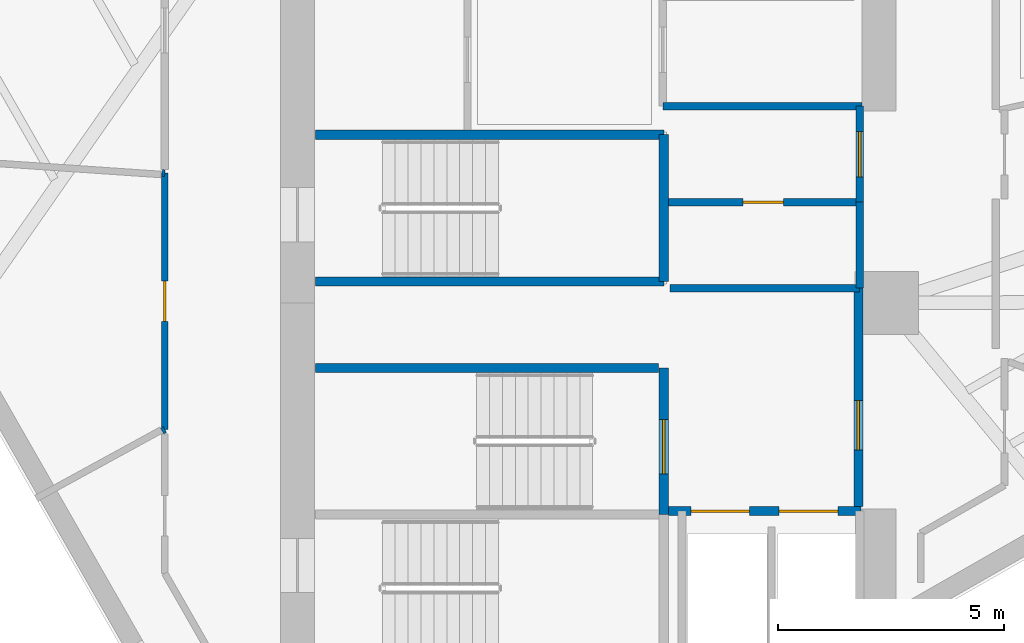
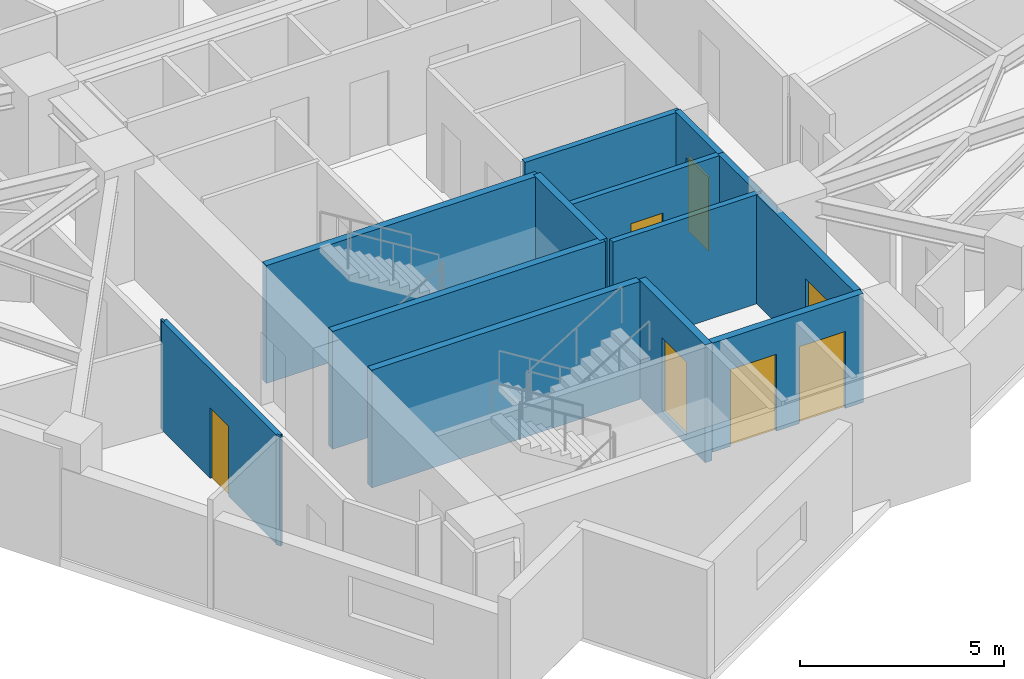
# One storey, part 9 of 13: 15 walls, 7 doors, 7 openings.
"""IFC4 building model written with IfcOpenShell, lengths in metres."""

from ifc_helpers import new_model, si_unit, direction, frame, frame_2d, origin, place, context, subcontext, project, spatial, rectangle, extrude, material, layer, layer_set, type_object, element, fill, save


model = new_model("IFC4")

# Units and contexts
model_context = context("Model", 3, precision=1e-05, world=origin(), true_north=direction((0.0, 1.0)))
body_context = subcontext(model_context, "Body", "Model", "MODEL_VIEW")
ifc_project = project(units=[si_unit("LENGTHUNIT", "METRE"), si_unit("AREAUNIT", "SQUARE_METRE"), si_unit("VOLUMEUNIT", "CUBIC_METRE"), si_unit("PLANEANGLEUNIT", "RADIAN"), si_unit("MASSUNIT", "GRAM", prefix="KILO")], contexts=[model_context])

# Site, building, storey
site_placement = place(None, origin())
site = spatial("IfcSite", under=ifc_project, at=site_placement, CompositionType="ELEMENT")
building_placement = place(site_placement, origin())
building = spatial("IfcBuilding", under=site, at=building_placement, Name="Narakoshi Arena Tower", CompositionType="ELEMENT")
storey_placement = place(building_placement, frame((0.0, 0.0, 222.02001953125)))
storey = spatial("IfcBuildingStorey", under=building, at=storey_placement, Name="L60", CompositionType="ELEMENT", Elevation=222.02001953125)

# Wall, opening, door
ifc_material_1 = material(Name="Gypsum plasterboard fire-rated partition")
ifc_layer_1 = layer(ifc_material_1, 0.1650390625)
ifc_layer_set_1 = layer_set([ifc_layer_1], Name="Gypsum plasterboard fire-rated partition")
wall_type_1 = type_object("IfcWallType", Name="WL-CORR-165", PredefinedType="PARTITIONING", material=ifc_layer_set_1)
wall_1_placement = place(storey_placement, frame((84.949951171875, 45.580078125, 0.0), z_axis=(0.0, 0.0, 1.0), x_axis=(0.0, 1.0, 0.0)))
wall_1 = element("IfcWall", 1, at=wall_1_placement, inside=storey, type_object=wall_type_1, Name="L60 Core Wall CPAS-E", PredefinedType="PARTITIONING", context=body_context, shape_type="SweptSolid", body=[
    extrude(rectangle(XDim=2.119873046875, YDim=0.1650390625, at=frame_2d((1.06005859375, 0.0))), origin(), (0.0, 0.0, 1.0), 3.260009765625),
])
opening_1_placement = place(wall_1_placement, frame((0.56005859375, 0.0, 0.0)))
opening_1 = element("IfcOpeningElement", 2, at=opening_1_placement, cuts=wall_1, Name="Opening D-06", PredefinedType="OPENING", context=body_context, shape_type="SweptSolid", body=[
    extrude(rectangle(XDim=1.0, YDim=2.199951171875, at=frame_2d((0.5, 1.10009765625))), frame((0.0, 0.092529296875, 0.0), z_axis=(0.0, -1.0, 0.0), x_axis=(1.0, 0.0, 0.0)), (0.0, 0.0, 1.0), 0.18505859375),
])
ifc_material_2 = material(Name="Stained oak solid-core timber", Category="wood")
door_type_1 = type_object("IfcDoorType", Name="DR-OFF-1000", OperationType="NOTDEFINED", PredefinedType="DOOR", material=ifc_material_2)
door_1_placement = place(opening_1_placement, frame((1.0, 0.0, 0.0), z_axis=(0.0, 0.0, 1.0), x_axis=(-1.0, 0.0, 0.0)))
door_1 = element("IfcDoor", 3, at=door_1_placement, inside=storey, type_object=door_type_1, Name="DR-L60-007", OperationType="SINGLE_SWING_LEFT", OverallHeight=2.199951171875, OverallWidth=1.0, PredefinedType="DOOR", context=body_context, shape_type="SweptSolid", body=[
    extrude(rectangle(XDim=1.0, YDim=2.199951171875, at=frame_2d((0.5, 1.10009765625))), frame((0.0, 0.02490234375, 0.0), z_axis=(0.0, -1.0, 0.0), x_axis=(1.0, 0.0, 0.0)), (0.0, 0.0, 1.0), 0.050048828125),
])
fill(opening_1, door_1)

# Wall
ifc_material_3 = material(Name="Concrete C40/50", Category="concrete")
ifc_layer_2 = layer(ifc_material_3, 0.280029296875)
ifc_layer_set_2 = layer_set([ifc_layer_2], Name="Concrete C40/50")
wall_type_2 = type_object("IfcWallType", Name="WL-RISER-280", PredefinedType="PLUMBINGWALL", material=ifc_layer_set_2)
wall_2_placement = place(storey_placement, frame((84.949951171875, 43.679931640625, 0.0), z_axis=(0.0, 0.0, 1.0), x_axis=(0.0, 1.0, 0.0)))
element("IfcWall", 4, at=wall_2_placement, inside=storey, type_object=wall_type_2, Name="L60 Core Wall RSR-E", PredefinedType="PLUMBINGWALL", context=body_context, shape_type="SweptSolid", body=[
    extrude(rectangle(XDim=1.900146484375, YDim=0.1650390625, at=frame_2d((0.9501953125, 0.0))), origin(), (0.0, 0.0, 1.0), 3.260009765625),
])

# Wall, opening, door
wall_3_placement = place(storey_placement, frame((80.719970703125, 45.580078125, 0.0), z_axis=(0.0, 0.0, 1.0), x_axis=(1.0, 0.0, 0.0)))
wall_3 = element("IfcWall", 5, at=wall_3_placement, inside=storey, type_object=wall_type_2, Name="L60 Core Wall RSR-N", PredefinedType="PLUMBINGWALL", context=body_context, shape_type="SweptSolid", body=[
    extrude(rectangle(XDim=4.22998046875, YDim=0.159912109375, at=frame_2d((2.114990234375, 0.0))), origin(), (0.0, 0.0, 1.0), 3.260009765625),
])
opening_2_placement = place(wall_3_placement, frame((1.64990234375, 0.0, 0.0)))
opening_2 = element("IfcOpeningElement", 6, at=opening_2_placement, cuts=wall_3, Name="Opening D-08", PredefinedType="OPENING", context=body_context, shape_type="SweptSolid", body=[
    extrude(rectangle(XDim=0.89990234375, YDim=2.10009765625, at=frame_2d((0.449951171875, 1.050048828125))), frame((0.0, 0.08984375, 0.0), z_axis=(0.0, -1.0, 0.0), x_axis=(1.0, 0.0, 0.0)), (0.0, 0.0, 1.0), 0.179931640625),
])
ifc_material_4 = material(Name="Moisture-resistant laminate timber", Category="wood")
door_type_2 = type_object("IfcDoorType", Name="DR-WC-900", OperationType="NOTDEFINED", PredefinedType="DOOR", material=ifc_material_4)
door_2_placement = place(opening_2_placement, frame((0.89990234375, 0.0, 0.0), z_axis=(0.0, 0.0, 1.0), x_axis=(-1.0, 0.0, 0.0)))
door_2 = element("IfcDoor", 7, at=door_2_placement, inside=storey, type_object=door_type_2, Name="DR-L60-008", OperationType="SINGLE_SWING_LEFT", OverallHeight=2.10009765625, OverallWidth=0.89990234375, PredefinedType="DOOR", context=body_context, shape_type="SweptSolid", body=[
    extrude(rectangle(XDim=0.89990234375, YDim=2.10009765625, at=frame_2d((0.449951171875, 1.050048828125))), frame((0.0, 0.02490234375, 0.0), z_axis=(0.0, -1.0, 0.0), x_axis=(1.0, 0.0, 0.0)), (0.0, 0.0, 1.0), 0.050048828125),
])
fill(opening_2, door_2)

# Wall
wall_4_placement = place(storey_placement, frame((80.760009765625, 43.679931640625, 0.0), z_axis=(0.0, 0.0, 1.0), x_axis=(1.0, 0.0, 0.0)))
element("IfcWall", 8, at=wall_4_placement, inside=storey, type_object=wall_type_2, Name="L60 Core Wall RSR-S", PredefinedType="PLUMBINGWALL", context=body_context, shape_type="SweptSolid", body=[
    extrude(rectangle(XDim=4.18994140625, YDim=0.159912109375, at=frame_2d((2.094970703125, 0.0))), origin(), (0.0, 0.0, 1.0), 3.260009765625),
])

# Wall, opening, door
ifc_material_5 = material(Name="Concrete C50/60", Category="concrete")
ifc_layer_3 = layer(ifc_material_5, 0.35009765625)
ifc_layer_set_3 = layer_set([ifc_layer_3], Name="Concrete C50/60")
wall_type_3 = type_object("IfcWallType", Name="WL-SHAFT-350", PredefinedType="SOLIDWALL", material=ifc_layer_set_3)
wall_5_placement = place(storey_placement, frame((80.6201171875, 38.675048828125, -0.260009765625), z_axis=(0.0, 0.0, 1.0), x_axis=(0.0, 1.0, 0.0)))
wall_5 = element("IfcWall", 9, at=wall_5_placement, inside=storey, type_object=wall_type_3, Name="L60 Core Wall ST2-E", PredefinedType="SOLIDWALL", context=body_context, shape_type="SweptSolid", body=[
    extrude(rectangle(XDim=3.244873046875, YDim=0.199951171875, at=frame_2d((1.62255859375, 0.0))), origin(), (0.0, 0.0, 1.0), 3.52001953125),
])
opening_3_placement = place(wall_5_placement, frame((0.89990234375, 0.0, 0.260009765625)))
opening_3 = element("IfcOpeningElement", 10, at=opening_3_placement, cuts=wall_5, Name="Opening D-03", PredefinedType="OPENING", context=body_context, shape_type="SweptSolid", body=[
    extrude(rectangle(XDim=1.199951171875, YDim=2.199951171875, at=frame_2d((0.60009765625, 1.10009765625))), frame((0.0, 0.10986328125, 0.0), z_axis=(0.0, -1.0, 0.0), x_axis=(1.0, 0.0, 0.0)), (0.0, 0.0, 1.0), 0.219970703125),
])
ifc_material_6 = material(Name="Painted galvanized steel", Category="steel")
door_type_3 = type_object("IfcDoorType", Name="DR-STR-1200", OperationType="NOTDEFINED", PredefinedType="USERDEFINED", material=ifc_material_6)
door_3_placement = place(opening_3_placement, origin())
door_3 = element("IfcDoor", 11, at=door_3_placement, inside=storey, type_object=door_type_3, Name="DR-L60-002", ObjectType="EXITDOOR", OperationType="SINGLE_SWING_RIGHT", OverallHeight=2.199951171875, OverallWidth=1.199951171875, PredefinedType="USERDEFINED", context=body_context, shape_type="SweptSolid", body=[
    extrude(rectangle(XDim=1.199951171875, YDim=2.199951171875, at=frame_2d((0.60009765625, 1.10009765625))), frame((0.0, 0.02490234375, 0.0), z_axis=(0.0, -1.0, 0.0), x_axis=(1.0, 0.0, 0.0)), (0.0, 0.0, 1.0), 0.050048828125),
])
fill(opening_3, door_3)

# Wall, openings, doors
wall_6_placement = place(storey_placement, frame((80.719970703125, 38.75, 0.0), z_axis=(0.0, 0.0, 1.0), x_axis=(1.0, 0.0, 0.0)))
wall_6 = element("IfcWall", 12, at=wall_6_placement, inside=storey, type_object=wall_type_3, Name="L60 Core Wall FF-N", PredefinedType="SOLIDWALL", context=body_context, shape_type="SweptSolid", body=[
    extrude(rectangle(XDim=4.260009765625, YDim=0.199951171875, at=frame_2d((2.1298828125, 0.0))), origin(), (0.0, 0.0, 1.0), 3.260009765625),
])
opening_4_placement = place(wall_6_placement, frame((0.5, 0.0, 0.0)))
opening_4 = element("IfcOpeningElement", 13, at=opening_4_placement, cuts=wall_6, Name="Opening LD-02", PredefinedType="OPENING", context=body_context, shape_type="SweptSolid", body=[
    extrude(rectangle(XDim=1.300048828125, YDim=2.300048828125, at=frame_2d((0.64990234375, 1.14990234375))), frame((0.0, 0.10986328125, 0.0), z_axis=(0.0, -1.0, 0.0), x_axis=(1.0, 0.0, 0.0)), (0.0, 0.0, 1.0), 0.219970703125),
])
opening_5_placement = place(wall_6_placement, frame((2.449951171875, 0.0, 0.0)))
opening_5 = element("IfcOpeningElement", 14, at=opening_5_placement, cuts=wall_6, Name="Opening LD-02", PredefinedType="OPENING", context=body_context, shape_type="SweptSolid", body=[
    extrude(rectangle(XDim=1.300048828125, YDim=2.300048828125, at=frame_2d((0.64990234375, 1.14990234375))), frame((0.0, 0.10986328125, 0.0), z_axis=(0.0, -1.0, 0.0), x_axis=(1.0, 0.0, 0.0)), (0.0, 0.0, 1.0), 0.219970703125),
])
ifc_material_7 = material(Name="Brushed bronze stainless steel", Category="steel")
door_type_4 = type_object("IfcDoorType", Name="DR-LFT-1300", OperationType="DOUBLE_DOOR_SLIDING", PredefinedType="DOOR", material=ifc_material_7)
door_4_placement = place(opening_4_placement, origin())
door_4 = element("IfcDoor", 15, at=door_4_placement, inside=storey, type_object=door_type_4, Name="DR-L60-003", OperationType="DOUBLE_DOOR_SLIDING", OverallHeight=2.300048828125, OverallWidth=1.300048828125, PredefinedType="DOOR", context=body_context, shape_type="SweptSolid", body=[
    extrude(rectangle(XDim=1.300048828125, YDim=2.300048828125, at=frame_2d((0.64990234375, 1.14990234375))), frame((0.0, 0.02490234375, 0.0), z_axis=(0.0, -1.0, 0.0), x_axis=(1.0, 0.0, 0.0)), (0.0, 0.0, 1.0), 0.050048828125),
])
fill(opening_4, door_4)
door_5_placement = place(opening_5_placement, origin())
door_5 = element("IfcDoor", 16, at=door_5_placement, inside=storey, type_object=door_type_4, Name="DR-L60-004", OperationType="DOUBLE_DOOR_SLIDING", OverallHeight=2.300048828125, OverallWidth=1.300048828125, PredefinedType="DOOR", context=body_context, shape_type="SweptSolid", body=[
    extrude(rectangle(XDim=1.300048828125, YDim=2.300048828125, at=frame_2d((0.64990234375, 1.14990234375))), frame((0.0, 0.02490234375, 0.0), z_axis=(0.0, -1.0, 0.0), x_axis=(1.0, 0.0, 0.0)), (0.0, 0.0, 1.0), 0.050048828125),
])
fill(opening_5, door_5)

# Wall, opening, door
wall_7_placement = place(storey_placement, frame((84.919921875, 38.85009765625, 0.0), z_axis=(0.0, 0.0, 1.0), x_axis=(0.0, 1.0, 0.0)))
wall_7 = element("IfcWall", 17, at=wall_7_placement, inside=storey, type_object=wall_type_3, Name="L60 Core Wall FFLOB-E", PredefinedType="SOLIDWALL", context=body_context, shape_type="SweptSolid", body=[
    extrude(rectangle(XDim=4.829833984375, YDim=0.199951171875, at=frame_2d((2.4150390625, 0.0))), origin(), (0.0, 0.0, 1.0), 3.260009765625),
])
opening_6_placement = place(wall_7_placement, frame((1.25, 0.0, 0.0)))
opening_6 = element("IfcOpeningElement", 18, at=opening_6_placement, cuts=wall_7, Name="Opening D-04", PredefinedType="OPENING", context=body_context, shape_type="SweptSolid", body=[
    extrude(rectangle(XDim=1.10009765625, YDim=2.199951171875, at=frame_2d((0.550048828125, 1.10009765625))), frame((0.0, 0.10986328125, 0.0), z_axis=(0.0, -1.0, 0.0), x_axis=(1.0, 0.0, 0.0)), (0.0, 0.0, 1.0), 0.219970703125),
])
door_type_5 = type_object("IfcDoorType", Name="DR-FFL-1100", OperationType="NOTDEFINED", PredefinedType="DOOR", material=ifc_material_6)
door_6_placement = place(opening_6_placement, frame((1.10009765625, 0.0, 0.0), z_axis=(0.0, 0.0, 1.0), x_axis=(-1.0, 0.0, 0.0)))
door_6 = element("IfcDoor", 19, at=door_6_placement, inside=storey, type_object=door_type_5, Name="DR-L60-005", OperationType="SINGLE_SWING_RIGHT", OverallHeight=2.199951171875, OverallWidth=1.10009765625, PredefinedType="DOOR", context=body_context, shape_type="SweptSolid", body=[
    extrude(rectangle(XDim=1.10009765625, YDim=2.199951171875, at=frame_2d((0.550048828125, 1.10009765625))), frame((0.0, 0.02490234375, 0.0), z_axis=(0.0, -1.0, 0.0), x_axis=(1.0, 0.0, 0.0)), (0.0, 0.0, 1.0), 0.050048828125),
])
fill(opening_6, door_6)

# Walls
wall_8_placement = place(storey_placement, frame((72.919921875, 41.919921875, -0.260009765625), z_axis=(0.0, 0.0, 1.0), x_axis=(1.0, 0.0, 0.0)))
element("IfcWall", 20, at=wall_8_placement, inside=storey, type_object=wall_type_3, Name="L60 Core Wall ST2-N", PredefinedType="SOLIDWALL", context=body_context, shape_type="SweptSolid", body=[
    extrude(rectangle(XDim=7.580078125, YDim=0.199951171875, at=frame_2d((3.7900390625, 0.0))), origin(), (0.0, 0.0, 1.0), 3.52001953125),
])
for number, where, z_axis, x_axis, name in (
    (21, (72.919921875, 43.830078125, -0.260009765625), (0.0, 0.0, 1.0), (1.0, 0.0, 0.0), "L60 Core Wall ST3-S"),
    (22, (72.919921875, 47.070068359375, -0.260009765625), (0.0, 0.0, 1.0), (1.0, 0.0, 0.0), "L60 Core Wall ST3-N"),
):
    element("IfcWall", number, at=place(storey_placement, frame(where, z_axis=z_axis, x_axis=x_axis)), inside=storey, type_object=wall_type_3, Name=name, PredefinedType="SOLIDWALL", context=body_context, shape_type="SweptSolid", body=[
        extrude(rectangle(XDim=7.7001953125, YDim=0.199951171875, at=frame_2d((3.85009765625, 0.0))), origin(), (0.0, 0.0, 1.0), 3.52001953125),
    ])
wall_9_placement = place(storey_placement, frame((80.6201171875, 43.830078125, -0.260009765625), z_axis=(0.0, 0.0, 1.0), x_axis=(0.0, 1.0, 0.0)))
element("IfcWall", 23, at=wall_9_placement, inside=storey, type_object=wall_type_3, Name="L60 Core Wall ST3-E", PredefinedType="SOLIDWALL", context=body_context, shape_type="SweptSolid", body=[
    extrude(rectangle(XDim=3.239990234375, YDim=0.199951171875, at=frame_2d((1.6201171875, 0.0))), origin(), (0.0, 0.0, 1.0), 3.52001953125),
])
wall_10_placement = place(storey_placement, frame((80.60009765625, 47.699951171875, 0.0), z_axis=(0.0, 0.0, 1.0), x_axis=(1.0, 0.0, 0.0)))
element("IfcWall", 24, at=wall_10_placement, inside=storey, type_object=wall_type_3, Name="L60 Core Wall MR-S", PredefinedType="SOLIDWALL", context=body_context, shape_type="SweptSolid", body=[
    extrude(rectangle(XDim=4.39990234375, YDim=0.159912109375, at=frame_2d((2.199951171875, 0.0))), origin(), (0.0, 0.0, 1.0), 3.260009765625),
])

# Wall, opening, door
ifc_material_8 = material(Name="Moisture-resistant cement-board partition")
ifc_layer_4 = layer(ifc_material_8, 0.14501953125)
ifc_layer_set_4 = layer_set([ifc_layer_4], Name="Moisture-resistant cement-board partition")
wall_type_4 = type_object("IfcWallType", Name="WL-WET-145", PredefinedType="PARTITIONING", material=ifc_layer_set_4)
wall_11_placement = place(storey_placement, frame((69.594482421875, 46.22216796875, 0.0), z_axis=(0.0, 0.0, 1.0), x_axis=(0.0, -1.0, 0.0)))
wall_11 = element("IfcWall", 25, at=wall_11_placement, inside=storey, type_object=wall_type_4, Name="L60 Corridor Partition 01-1", PredefinedType="PARTITIONING", context=body_context, shape_type="SweptSolid", body=[
    extrude(rectangle(XDim=5.666259765625, YDim=0.14501953125, at=frame_2d((2.8330078125, 0.0))), origin(), (0.0, 0.0, 1.0), 3.260009765625),
])
opening_7_placement = place(wall_11_placement, frame((2.383056640625, 0.0, 0.0)))
opening_7 = element("IfcOpeningElement", 26, at=opening_7_placement, cuts=wall_11, Name="Opening D-08", PredefinedType="OPENING", context=body_context, shape_type="SweptSolid", body=[
    extrude(rectangle(XDim=0.89990234375, YDim=2.10009765625, at=frame_2d((0.449951171875, 1.050048828125))), frame((0.0, 0.08251953125, 0.0), z_axis=(0.0, -1.0, 0.0), x_axis=(1.0, 0.0, 0.0)), (0.0, 0.0, 1.0), 0.1650390625),
])
door_7_placement = place(opening_7_placement, frame((0.89990234375, 0.0, 0.0), z_axis=(0.0, 0.0, 1.0), x_axis=(-1.0, 0.0, 0.0)))
door_7 = element("IfcDoor", 27, at=door_7_placement, inside=storey, type_object=door_type_2, Name="DR-L60-016", OperationType="SINGLE_SWING_RIGHT", OverallHeight=2.10009765625, OverallWidth=0.89990234375, PredefinedType="DOOR", context=body_context, shape_type="SweptSolid", body=[
    extrude(rectangle(XDim=0.89990234375, YDim=2.10009765625, at=frame_2d((0.449951171875, 1.050048828125))), frame((0.0, 0.02490234375, 0.0), z_axis=(0.0, -1.0, 0.0), x_axis=(1.0, 0.0, 0.0)), (0.0, 0.0, 1.0), 0.050048828125),
])
fill(opening_7, door_7)

# Walls
wall_12_placement = place(storey_placement, frame((69.594482421875, 40.555908203125, 0.0), z_axis=(0.0, 0.0, 1.0), x_axis=(-0.875838256619, -0.482604753647, 0.0)))
element("IfcWall", 28, at=wall_12_placement, inside=storey, type_object=wall_type_4, Name="L60 Corridor Partition 01-2", PredefinedType="PARTITIONING", context=body_context, shape_type="SweptSolid", body=[
    extrude(rectangle(XDim=0.068359375, YDim=0.14501953125, at=frame_2d((0.0341796875, 0.0))), origin(), (0.0, 0.0, 1.0), 3.260009765625),
])
wall_13_placement = place(storey_placement, frame((69.53466796875, 46.226318359375, 0.0), z_axis=(0.0, 0.0, 1.0), x_axis=(0.997601327848, -0.069221316626, 0.0)))
element("IfcWall", 29, at=wall_13_placement, inside=storey, type_object=wall_type_4, Name="L60 Corridor Partition 01-3", PredefinedType="PARTITIONING", context=body_context, shape_type="SweptSolid", body=[
    extrude(rectangle(XDim=0.06005859375, YDim=0.14501953125, at=frame_2d((0.030029296875, 0.0))), origin(), (0.0, 0.0, 1.0), 3.260009765625),
])

save(model, "model.ifc")
